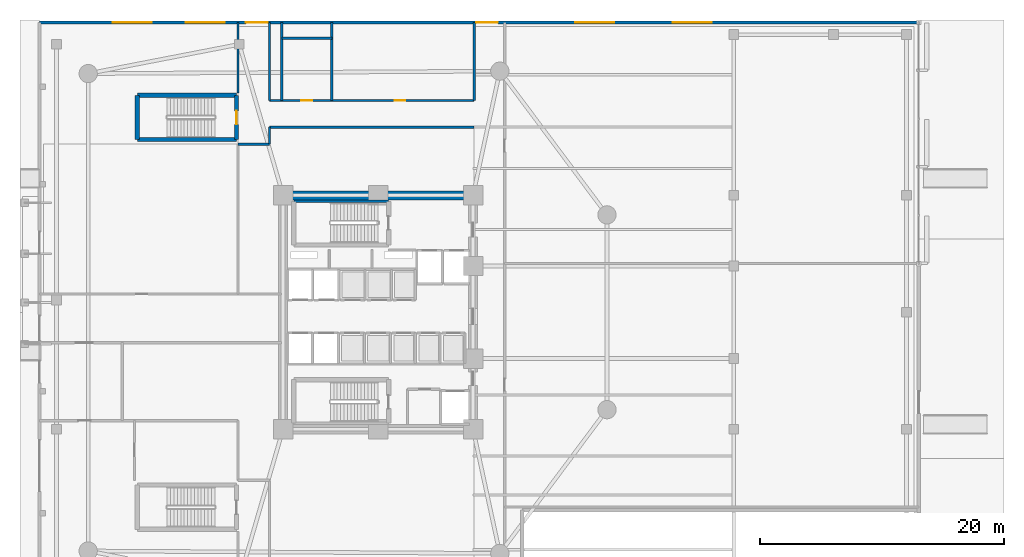
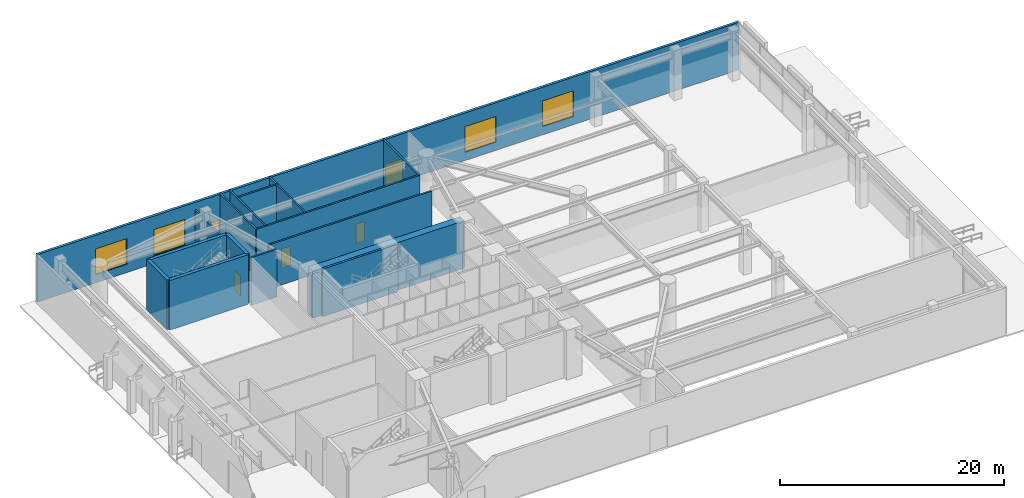
# One storey, part 9 of 16: 17 walls, 5 doors, 4 windows, 9 openings.
"""IFC4 building model written with IfcOpenShell, lengths in metres."""

import ifcopenshell
import ifcopenshell.guid

model = None  # the IFC model being written
_history = None  # IfcOwnerHistory: only IFC2X3 demands one
_inside = {}  # id of a spatial element -> (the spatial element, [elements in it])
_under = {}  # id of a project, library or spatial element -> (it, [spatial elements below it])
_declared = {}  # id of a project -> (the project, [libraries it declares])
_typed = {}  # id of a type object -> (the type object, [elements of that type])
_made_of = {}  # id of a material, layer set ... -> (it, [elements and type objects made of it])


def new_model(schema):
    """Start an empty IFC model of exactly this schema.

    Asked for "IFC4X3", IfcOpenShell would pick the latest addendum, in which some entities
    have other attributes; the version numbers below select the first issue.
    IFC2X3 requires an IfcOwnerHistory on every rooted entity: one is made here for all.
    """
    global model, _history
    if schema == "IFC4X3":
        model = ifcopenshell.file(schema_version=(4, 3, 0, 0))
    else:
        model = ifcopenshell.file(schema=schema)
    _inside.clear()
    _under.clear()
    _declared.clear()
    _typed.clear()
    _made_of.clear()
    _history = None
    if model.schema == "IFC2X3":
        org = make("IfcOrganization", Name="unknown")
        user = make(
            "IfcPersonAndOrganization",
            ThePerson=make("IfcPerson", FamilyName="unknown"),
            TheOrganization=org,
        )
        app = make(
            "IfcApplication",
            ApplicationDeveloper=org,
            Version="unknown",
            ApplicationFullName="unknown",
            ApplicationIdentifier="unknown",
        )
        _history = make(
            "IfcOwnerHistory",
            OwningUser=user,
            OwningApplication=app,
            ChangeAction="ADDED",
            CreationDate=0,
        )
    return model


def make(cls, **values):
    """One entity of the class cls with the attributes given. An attribute that is None is left unset."""
    return model.create_entity(
        cls, **{name: value for name, value in values.items() if value is not None}
    )


def rooted(cls, **values):
    """An entity with a GlobalId (a new one), such as an element, a storey or a relation."""
    return make(cls, GlobalId=ifcopenshell.guid.new(), OwnerHistory=_history, **values)


def si_unit(unit_type, name, prefix=None):
    """IfcSIUnit, for example si_unit("LENGTHUNIT", "METRE", prefix="MILLI")."""
    return make("IfcSIUnit", UnitType=unit_type, Prefix=prefix, Name=name)


def assignment(units):
    """IfcUnitAssignment: the units of a project."""
    return None if units is None else make("IfcUnitAssignment", Units=units)


def point(xyz):
    """IfcCartesianPoint."""
    return None if xyz is None else make("IfcCartesianPoint", Coordinates=xyz)


def direction(xyz):
    """IfcDirection."""
    return None if xyz is None else make("IfcDirection", DirectionRatios=xyz)


def frame(location, z_axis=None, x_axis=None):
    """IfcAxis2Placement3D, a coordinate frame: its origin and axes. An axis left out is left unset."""
    return make(
        "IfcAxis2Placement3D",
        Location=point(location),
        Axis=direction(z_axis),
        RefDirection=direction(x_axis),
    )


def frame_2d(location, x_axis=None):
    """IfcAxis2Placement2D, a coordinate frame in the plane: its origin and x axis."""
    return make(
        "IfcAxis2Placement2D", Location=point(location), RefDirection=direction(x_axis)
    )


def origin():
    """The frame at (0, 0, 0) with its axes left unset."""
    return frame((0.0, 0.0, 0.0))


def place(relative_to, where):
    """IfcLocalPlacement: puts the frame where relative to a parent placement (None: the world)."""
    return make(
        "IfcLocalPlacement", PlacementRelTo=relative_to, RelativePlacement=where
    )


def context(
    kind, dimensions, precision=None, world=None, true_north=None, identifier=None
):
    """IfcGeometricRepresentationContext, for example the 3D "Model" context."""
    return make(
        "IfcGeometricRepresentationContext",
        ContextIdentifier=identifier,
        ContextType=kind,
        CoordinateSpaceDimension=dimensions,
        Precision=precision,
        WorldCoordinateSystem=world,
        TrueNorth=true_north,
    )


def subcontext(parent, identifier, kind, view, scale=None):
    """IfcGeometricRepresentationSubContext, for example "Body" below "Model"."""
    return make(
        "IfcGeometricRepresentationSubContext",
        ContextIdentifier=identifier,
        ContextType=kind,
        ParentContext=parent,
        TargetScale=scale,
        TargetView=view,
    )


def project(units=None, contexts=None):
    """IfcProject with its units and contexts."""
    return rooted(
        "IfcProject",
        Name="project",
        RepresentationContexts=contexts,
        UnitsInContext=assignment(units),
    )


def spatial(cls, under=None, at=None, **own):
    """A site, building, storey or space (cls), placed at a placement, below another one or the project."""
    s = rooted(cls, ObjectPlacement=at, **own)
    if under is not None:
        _under.setdefault(under.id(), (under, []))[1].append(s)
    return s


def profile(cls, at=None, kind="AREA", **sizes):
    """A parametric profile (cls). Its sizes go by their IFC names, for example OverallWidth=200.0."""
    return make(cls, ProfileType=kind, Position=at, **sizes)


def rectangle(**sizes):
    """IfcRectangleProfileDef."""
    return profile("IfcRectangleProfileDef", **sizes)


def extrude(swept, where, along, depth):
    """IfcExtrudedAreaSolid: the profile swept, set in the frame where, extruded along a direction by depth."""
    return make(
        "IfcExtrudedAreaSolid",
        SweptArea=swept,
        Position=where,
        ExtrudedDirection=direction(along),
        Depth=depth,
    )


def shape(context_of_items, identifier, shape_type, items):
    """IfcShapeRepresentation: the items that make up one representation, for example the "Body"."""
    return make(
        "IfcShapeRepresentation",
        ContextOfItems=context_of_items,
        RepresentationIdentifier=identifier,
        RepresentationType=shape_type,
        Items=items,
    )


def material(Name=None, Category=None):
    """IfcMaterial."""
    return make("IfcMaterial", Name=Name, Category=Category)


def layer(
    of_material, thickness, ventilated=None, Name=None, Category=None, Priority=None
):
    """IfcMaterialLayer: one layer of a wall or slab, of a material (None: an air gap)."""
    return make(
        "IfcMaterialLayer",
        Material=of_material,
        LayerThickness=thickness,
        IsVentilated=ventilated,
        Name=Name,
        Category=Category,
        Priority=Priority,
    )


def layer_set(layers, Name=None):
    """IfcMaterialLayerSet."""
    return make("IfcMaterialLayerSet", MaterialLayers=layers, LayerSetName=Name)


def made_of(thing, what):
    """Note that an element or type object is made of a material, layer set ...; save() writes the relation."""
    if what is not None:
        _made_of.setdefault(what.id(), (what, []))[1].append(thing)
    return thing


def type_object(cls, material=None, **own):
    """A type object (cls), such as IfcWallType, which elements share."""
    return made_of(rooted(cls, **own), material)


def element(
    cls,
    number,
    at=None,
    inside=None,
    cuts=None,
    type_object=None,
    material=None,
    context=None,
    identifier="Body",
    shape_type=None,
    held_by="IfcProductDefinitionShape",
    body=None,
    shapes=None,
    **own,
):
    """One element of the class cls, such as IfcWall. Its Tag is "e" and its number.

    at: its placement. inside: the storey or other place that contains it. cuts: it is an
    opening in that element (IfcRelVoidsElement). A single representation is given by context,
    identifier, shape_type and body (its items); several are given by shapes. held_by: the class
    of the entity that holds the representations. save() writes the other relations.
    """
    e = rooted(cls, Tag="e%d" % number, ObjectPlacement=at, **own)
    if body is not None:
        shapes = [shape(context, identifier, shape_type, body)]
    if shapes is not None:
        e.Representation = make(held_by, Representations=shapes)
    if inside is not None:
        _inside.setdefault(inside.id(), (inside, []))[1].append(e)
    if cuts is not None:
        rooted(
            "IfcRelVoidsElement", RelatingBuildingElement=cuts, RelatedOpeningElement=e
        )
    if type_object is not None:
        _typed.setdefault(type_object.id(), (type_object, []))[1].append(e)
    return made_of(e, material)


def fill(opening, filler):
    """IfcRelFillsElement: the door or window that sits in an opening."""
    return rooted(
        "IfcRelFillsElement",
        RelatingOpeningElement=opening,
        RelatedBuildingElement=filler,
    )


def aggregate(whole, parts):
    """IfcRelAggregates: a whole, such as a stair, and the parts it consists of."""
    return rooted("IfcRelAggregates", RelatingObject=whole, RelatedObjects=parts)


def save(model, path):
    """Write the relations noted so far, then the file.

    IfcRelAggregates (storeys below a building ...), IfcRelContainedInSpatialStructure (elements
    in a storey), IfcRelDefinesByType, IfcRelAssociatesMaterial and IfcRelDeclares: one each for
    every whole, place, type object, material and project.
    """
    for whole, parts in _under.values():
        aggregate(whole, parts)
    for where, things in _inside.values():
        rooted(
            "IfcRelContainedInSpatialStructure",
            RelatedElements=things,
            RelatingStructure=where,
        )
    for kind, things in _typed.values():
        rooted("IfcRelDefinesByType", RelatedObjects=things, RelatingType=kind)
    for what, things in _made_of.values():
        rooted("IfcRelAssociatesMaterial", RelatedObjects=things, RelatingMaterial=what)
    for by, libraries in _declared.values():
        rooted("IfcRelDeclares", RelatingContext=by, RelatedDefinitions=libraries)
    model.write(path)


model = new_model("IFC4")

# Units and contexts
model_context = context("Model", 3, precision=1e-05, world=origin(), true_north=direction((0.0, 1.0)))
body_context = subcontext(model_context, "Body", "Model", "MODEL_VIEW")
ifc_project = project(units=[si_unit("LENGTHUNIT", "METRE"), si_unit("AREAUNIT", "SQUARE_METRE"), si_unit("VOLUMEUNIT", "CUBIC_METRE"), si_unit("PLANEANGLEUNIT", "RADIAN"), si_unit("MASSUNIT", "GRAM", prefix="KILO")], contexts=[model_context])

# Site, building, storey
site_placement = place(None, origin())
site = spatial("IfcSite", under=ifc_project, at=site_placement, CompositionType="ELEMENT")
building_placement = place(site_placement, origin())
building = spatial("IfcBuilding", under=site, at=building_placement, Name="An Khanh Terracotta Commons", CompositionType="ELEMENT")
storey_placement = place(building_placement, origin())
storey = spatial("IfcBuildingStorey", under=building, at=storey_placement, Name="L01", CompositionType="ELEMENT", Elevation=0.0)

# Walls
ifc_material_1 = material(Name="Concrete C70/85", Category="concrete")
ifc_layer_1 = layer(ifc_material_1, 0.75, Name="Concrete C70/85")
ifc_layer_set_1 = layer_set([ifc_layer_1], Name="Concrete C70/85")
wall_type_1 = type_object("IfcWallType", Name="WALL-CORE-750", PredefinedType="SHEAR", material=ifc_layer_set_1)
wall_1_placement = place(storey_placement, frame((21.60009765625, 33.60009765625, 0.0), z_axis=(0.0, 0.0, 1.0), x_axis=(1.0, 0.0, 0.0)))
element("IfcWall", 1, at=wall_1_placement, inside=storey, type_object=wall_type_1, Name="L01 Core Wall CWALL-L01-N", PredefinedType="SHEAR", context=body_context, shape_type="SweptSolid", body=[
    extrude(rectangle(XDim=15.599853515625, YDim=0.75, at=frame_2d((7.7998046875, 0.0))), origin(), (0.0, 0.0, 1.0), 5.179931640625),
])
ifc_material_2 = material(Name="Double-Layer Fire-Rated Gypsum Board on Mineral Fibre Core")
ifc_layer_2 = layer(ifc_material_2, 0.179931640625, Name="Double-Layer Fire-Rated Gypsum Board on Mineral Fibre Core")
ifc_layer_set_2 = layer_set([ifc_layer_2], Name="Double-Layer Fire-Rated Gypsum Board on Mineral Fibre Core")
wall_type_2 = type_object("IfcWallType", Name="WALL-EXITPASS-180", PredefinedType="PARTITIONING", material=ifc_layer_set_2)
wall_2_placement = place(storey_placement, frame((17.89990234375, 37.800048828125, 0.0), z_axis=(0.0, 0.0, 1.0), x_axis=(1.0, 0.0, 0.0)))
element("IfcWall", 2, at=wall_2_placement, inside=storey, type_object=wall_type_2, Name="L01 Interior Partition IW-L01-E007", PredefinedType="PARTITIONING", context=body_context, shape_type="SweptSolid", body=[
    extrude(rectangle(XDim=2.60009765625, YDim=0.179931640625, at=frame_2d((1.300048828125, 0.0))), origin(), (0.0, 0.0, 1.0), 5.179931640625),
])
wall_3_placement = place(storey_placement, frame((20.5, 39.199951171875, 0.0), z_axis=(0.0, 0.0, 1.0), x_axis=(1.0, 0.0, 0.0)))
element("IfcWall", 3, at=wall_3_placement, inside=storey, type_object=wall_type_2, Name="L01 Interior Partition IW-L01-E008", PredefinedType="PARTITIONING", context=body_context, shape_type="SweptSolid", body=[
    extrude(rectangle(XDim=16.800048828125, YDim=0.179931640625, at=frame_2d((8.39990234375, 0.0))), origin(), (0.0, 0.0, 1.0), 4.802001953125),
])

# Wall, openings, doors
wall_4_placement = place(storey_placement, frame((20.5, 41.39990234375, 0.0), z_axis=(0.0, 0.0, 1.0), x_axis=(1.0, 0.0, 0.0)))
wall_4 = element("IfcWall", 4, at=wall_4_placement, inside=storey, type_object=wall_type_2, Name="L01 Interior Partition IW-L01-E009", PredefinedType="PARTITIONING", context=body_context, shape_type="SweptSolid", body=[
    extrude(rectangle(XDim=16.800048828125, YDim=0.179931640625, at=frame_2d((8.39990234375, 0.0))), origin(), (0.0, 0.0, 1.0), 5.179931640625),
])
opening_1_placement = place(wall_4_placement, frame((2.60009765625, 0.0, 0.0)))
opening_1 = element("IfcOpeningElement", 5, at=opening_1_placement, cuts=wall_4, Name="Opening D-WC", PredefinedType="OPENING", context=body_context, shape_type="SweptSolid", body=[
    extrude(rectangle(XDim=0.89990234375, YDim=2.10009765625, at=frame_2d((0.449951171875, 1.050048828125))), frame((0.0, 0.099853515625, 0.0), z_axis=(0.0, -1.0, 0.0), x_axis=(1.0, 0.0, 0.0)), (0.0, 0.0, 1.0), 0.199951171875),
])
opening_2_placement = place(wall_4_placement, frame((10.260009765625, 0.0, 0.0)))
opening_2 = element("IfcOpeningElement", 6, at=opening_2_placement, cuts=wall_4, Name="Opening D-ENS", PredefinedType="OPENING", context=body_context, shape_type="SweptSolid", body=[
    extrude(rectangle(XDim=0.860107421875, YDim=2.10009765625, at=frame_2d((0.43017578125, 1.050048828125))), frame((0.0, 0.099853515625, 0.0), z_axis=(0.0, -1.0, 0.0), x_axis=(1.0, 0.0, 0.0)), (0.0, 0.0, 1.0), 0.199951171875),
])
ifc_material_3 = material(Name="Moisture-Resistant Hardwood Timber Leaf", Category="wood")
door_type_1 = type_object("IfcDoorType", Name="DOOR-BATH-860", OperationType="NOTDEFINED", PredefinedType="DOOR", material=ifc_material_3)
door_1_placement = place(opening_2_placement, origin())
door_1 = element("IfcDoor", 7, at=door_1_placement, inside=storey, type_object=door_type_1, Name="L01 PWC Public Restroom Block Door", OperationType="SINGLE_SWING_RIGHT", OverallHeight=2.10009765625, OverallWidth=0.860107421875, PredefinedType="DOOR", context=body_context, shape_type="SweptSolid", body=[
    extrude(rectangle(XDim=0.860107421875, YDim=2.10009765625, at=frame_2d((0.43017578125, 1.050048828125))), frame((0.0, 0.02490234375, 0.0), z_axis=(0.0, -1.0, 0.0), x_axis=(1.0, 0.0, 0.0)), (0.0, 0.0, 1.0), 0.050048828125),
])
fill(opening_2, door_1)
ifc_material_4 = material(Name="Laminate Moisture-Resistant Timber Leaf", Category="wood")
door_type_2 = type_object("IfcDoorType", Name="DOOR-WC-900", OperationType="NOTDEFINED", PredefinedType="DOOR", material=ifc_material_4)
door_2_placement = place(opening_1_placement, origin())
door_2 = element("IfcDoor", 8, at=door_2_placement, inside=storey, type_object=door_type_2, Name="L01 AWC Ground Public Accessible WC Door", OperationType="SINGLE_SWING_LEFT", OverallHeight=2.10009765625, OverallWidth=0.89990234375, PredefinedType="DOOR", context=body_context, shape_type="SweptSolid", body=[
    extrude(rectangle(XDim=0.89990234375, YDim=2.10009765625, at=frame_2d((0.449951171875, 1.050048828125))), frame((0.0, 0.02490234375, 0.0), z_axis=(0.0, -1.0, 0.0), x_axis=(1.0, 0.0, 0.0)), (0.0, 0.0, 1.0), 0.050048828125),
])
fill(opening_1, door_2)

# Walls
wall_5_placement = place(storey_placement, frame((21.5, 46.5, 0.0), z_axis=(0.0, 0.0, 1.0), x_axis=(1.0, 0.0, 0.0)))
element("IfcWall", 9, at=wall_5_placement, inside=storey, type_object=wall_type_2, Name="L01 Interior Partition IW-L01-E010", PredefinedType="PARTITIONING", context=body_context, shape_type="SweptSolid", body=[
    extrude(rectangle(XDim=4.10009765625, YDim=0.179931640625, at=frame_2d((2.050048828125, 0.0))), origin(), (0.0, 0.0, 1.0), 5.179931640625),
])
wall_6_placement = place(storey_placement, frame((17.89990234375, 42.0, 0.0), z_axis=(0.0, 0.0, 1.0), x_axis=(0.0, 1.0, 0.0)))
element("IfcWall", 10, at=wall_6_placement, inside=storey, type_object=wall_type_2, Name="L01 Interior Partition IW-L01-E016", PredefinedType="PARTITIONING", context=body_context, shape_type="SweptSolid", body=[
    extrude(rectangle(XDim=5.800048828125, YDim=0.179931640625, at=frame_2d((2.89990234375, 0.0))), origin(), (0.0, 0.0, 1.0), 4.362060546875),
])
wall_7_placement = place(storey_placement, frame((20.5, 37.800048828125, 0.0), z_axis=(0.0, 0.0, 1.0), x_axis=(0.0, 1.0, 0.0)))
element("IfcWall", 11, at=wall_7_placement, inside=storey, type_object=wall_type_2, Name="L01 Interior Partition IW-L01-E018", PredefinedType="PARTITIONING", context=body_context, shape_type="SweptSolid", body=[
    extrude(rectangle(XDim=1.39990234375, YDim=0.179931640625, at=frame_2d((0.699951171875, 0.0))), origin(), (0.0, 0.0, 1.0), 4.362060546875),
])
for number, where, z_axis, x_axis, name in (
    (12, (20.5, 41.39990234375, 0.0), (0.0, 0.0, 1.0), (0.0, 1.0, 0.0), "L01 Interior Partition IW-L01-E019"),
    (13, (21.5, 41.39990234375, 0.0), (0.0, 0.0, 1.0), (0.0, 1.0, 0.0), "L01 Interior Partition IW-L01-E020"),
    (14, (25.60009765625, 41.39990234375, 0.0), (0.0, 0.0, 1.0), (0.0, 1.0, 0.0), "L01 Interior Partition IW-L01-E021"),
    (15, (37.300048828125, 41.39990234375, 0.0), (0.0, 0.0, 1.0), (0.0, 1.0, 0.0), "L01 Interior Partition IW-L01-E022"),
):
    element("IfcWall", number, at=place(storey_placement, frame(where, z_axis=z_axis, x_axis=x_axis)), inside=storey, type_object=wall_type_2, Name=name, PredefinedType="PARTITIONING", context=body_context, shape_type="SweptSolid", body=[
        extrude(rectangle(XDim=6.400146484375, YDim=0.179931640625, at=frame_2d((3.2001953125, 0.0))), origin(), (0.0, 0.0, 1.0), 5.179931640625),
    ])
ifc_material_5 = material(Name="Acoustic Double-Stud Gypsum and Mineral Wool")
ifc_layer_3 = layer(ifc_material_5, 0.219970703125, Name="Acoustic Double-Stud Gypsum and Mineral Wool")
ifc_layer_set_3 = layer_set([ifc_layer_3], Name="Acoustic Double-Stud Gypsum and Mineral Wool")
wall_type_3 = type_object("IfcWallType", Name="WALL-PARTY-220", PredefinedType="PARTITIONING", material=ifc_layer_set_3)
wall_8_placement = place(storey_placement, frame((22.47998046875, 33.110107421875, 0.0), z_axis=(0.0, 0.0, 1.0), x_axis=(1.0, 0.0, 0.0)))
element("IfcWall", 16, at=wall_8_placement, inside=storey, type_object=wall_type_3, Name="L01 Core Wall STW-L01-N-N", PredefinedType="PARTITIONING", context=body_context, shape_type="SweptSolid", body=[
    extrude(rectangle(XDim=7.7900390625, YDim=0.219970703125, at=frame_2d((3.89501953125, 0.0))), origin(), (0.0, 0.0, 1.0), 5.179931640625),
])

# Wall, openings, doors, windows
ifc_material_6 = material(Name="Concrete C40/50", Category="concrete")
ifc_layer_4 = layer(ifc_material_6, 0.260009765625, Name="Concrete C40/50")
ifc_layer_set_4 = layer_set([ifc_layer_4], Name="Concrete C40/50")
wall_type_4 = type_object("IfcWallType", Name="WALL-POD-260", PredefinedType="SOLIDWALL", material=ifc_layer_set_4)
wall_9_placement = place(storey_placement, frame((1.60009765625, 47.800048828125, 0.0), z_axis=(0.0, 0.0, 1.0), x_axis=(1.0, 0.0, 0.0)))
wall_9 = element("IfcWall", 17, at=wall_9_placement, inside=storey, type_object=wall_type_4, Name="L01 North Exterior Wall", PredefinedType="SOLIDWALL", context=body_context, shape_type="SweptSolid", body=[
    extrude(rectangle(XDim=72.199951171875, YDim=0.260009765625, at=frame_2d((36.10009765625, 0.0))), origin(), (0.0, 0.0, 1.0), 5.179931640625),
])
opening_3_placement = place(wall_9_placement, frame((16.949951171875, 0.0, 0.0)))
opening_3 = element("IfcOpeningElement", 18, at=opening_3_placement, cuts=wall_9, Name="Opening EX-03", PredefinedType="OPENING", context=body_context, shape_type="SweptSolid", body=[
    extrude(rectangle(XDim=1.800048828125, YDim=2.39990234375, at=frame_2d((0.89990234375, 1.199951171875))), frame((0.0, 0.139892578125, 0.0), z_axis=(0.0, -1.0, 0.0), x_axis=(1.0, 0.0, 0.0)), (0.0, 0.0, 1.0), 0.280029296875),
])
opening_4_placement = place(wall_9_placement, frame((35.85009765625, 0.0, 0.0)))
opening_4 = element("IfcOpeningElement", 19, at=opening_4_placement, cuts=wall_9, Name="Opening EX-04", PredefinedType="OPENING", context=body_context, shape_type="SweptSolid", body=[
    extrude(rectangle(XDim=1.800048828125, YDim=2.39990234375, at=frame_2d((0.89990234375, 1.199951171875))), frame((0.0, 0.139892578125, 0.0), z_axis=(0.0, -1.0, 0.0), x_axis=(1.0, 0.0, 0.0)), (0.0, 0.0, 1.0), 0.280029296875),
])
opening_5_placement = place(wall_9_placement, frame((6.0, 0.0, 0.89990234375)))
opening_5 = element("IfcOpeningElement", 20, at=opening_5_placement, cuts=wall_9, Name="Opening W-10", PredefinedType="OPENING", context=body_context, shape_type="SweptSolid", body=[
    extrude(rectangle(XDim=3.199951171875, YDim=2.800048828125, at=frame_2d((1.60009765625, 1.39990234375))), frame((0.0, 0.139892578125, 0.0), z_axis=(0.0, -1.0, 0.0), x_axis=(1.0, 0.0, 0.0)), (0.0, 0.0, 1.0), 0.280029296875),
])
opening_6_placement = place(wall_9_placement, frame((12.0, 0.0, 0.89990234375)))
opening_6 = element("IfcOpeningElement", 21, at=opening_6_placement, cuts=wall_9, Name="Opening W-10", PredefinedType="OPENING", context=body_context, shape_type="SweptSolid", body=[
    extrude(rectangle(XDim=3.199951171875, YDim=2.800048828125, at=frame_2d((1.60009765625, 1.39990234375))), frame((0.0, 0.139892578125, 0.0), z_axis=(0.0, -1.0, 0.0), x_axis=(1.0, 0.0, 0.0)), (0.0, 0.0, 1.0), 0.280029296875),
])
opening_7_placement = place(wall_9_placement, frame((44.0, 0.0, 0.89990234375)))
opening_7 = element("IfcOpeningElement", 22, at=opening_7_placement, cuts=wall_9, Name="Opening W-10", PredefinedType="OPENING", context=body_context, shape_type="SweptSolid", body=[
    extrude(rectangle(XDim=3.199951171875, YDim=2.800048828125, at=frame_2d((1.60009765625, 1.39990234375))), frame((0.0, 0.139892578125, 0.0), z_axis=(0.0, -1.0, 0.0), x_axis=(1.0, 0.0, 0.0)), (0.0, 0.0, 1.0), 0.280029296875),
])
opening_8_placement = place(wall_9_placement, frame((52.0, 0.0, 0.89990234375)))
opening_8 = element("IfcOpeningElement", 23, at=opening_8_placement, cuts=wall_9, Name="Opening W-10", PredefinedType="OPENING", context=body_context, shape_type="SweptSolid", body=[
    extrude(rectangle(XDim=3.199951171875, YDim=2.800048828125, at=frame_2d((1.60009765625, 1.39990234375))), frame((0.0, 0.139892578125, 0.0), z_axis=(0.0, -1.0, 0.0), x_axis=(1.0, 0.0, 0.0)), (0.0, 0.0, 1.0), 0.280029296875),
])
ifc_material_7 = material(Name="Anodised Aluminium and Toughened Glass", Category="aluminium")
door_type_3 = type_object("IfcDoorType", Name="DOOR-EXT-EXIT-1800", OperationType="NOTDEFINED", PredefinedType="DOOR", material=ifc_material_7)
door_3_placement = place(opening_3_placement, origin())
door_3 = element("IfcDoor", 24, at=door_3_placement, inside=storey, type_object=door_type_3, Name="L01 North-West Stair Protected Exit Door EX-03", OperationType="DOUBLE_DOOR_SINGLE_SWING", OverallHeight=2.39990234375, OverallWidth=1.800048828125, PredefinedType="DOOR", context=body_context, shape_type="SweptSolid", body=[
    extrude(rectangle(XDim=1.800048828125, YDim=2.39990234375, at=frame_2d((0.89990234375, 1.199951171875))), frame((0.0, 0.02490234375, 0.0), z_axis=(0.0, -1.0, 0.0), x_axis=(1.0, 0.0, 0.0)), (0.0, 0.0, 1.0), 0.050048828125),
])
fill(opening_3, door_3)
door_4_placement = place(opening_4_placement, origin())
door_4 = element("IfcDoor", 25, at=door_4_placement, inside=storey, type_object=door_type_3, Name="L01 North Core Protected Exit Door EX-04", OperationType="DOUBLE_DOOR_SINGLE_SWING", OverallHeight=2.39990234375, OverallWidth=1.800048828125, PredefinedType="DOOR", context=body_context, shape_type="SweptSolid", body=[
    extrude(rectangle(XDim=1.800048828125, YDim=2.39990234375, at=frame_2d((0.89990234375, 1.199951171875))), frame((0.0, 0.02490234375, 0.0), z_axis=(0.0, -1.0, 0.0), x_axis=(1.0, 0.0, 0.0)), (0.0, 0.0, 1.0), 0.050048828125),
])
fill(opening_4, door_4)
ifc_material_8 = material(Name="Thermally Broken Aluminium and Low-E Glass", Category="aluminium")
window_type = type_object("IfcWindowType", Name="WIN-L01-3200x2800", PartitioningType="TRIPLE_PANEL_VERTICAL", PredefinedType="WINDOW", material=ifc_material_8)
window_1_placement = place(opening_5_placement, origin())
window_1 = element("IfcWindow", 26, at=window_1_placement, inside=storey, type_object=window_type, Name="L01 North Commons Shopfront Window 1", OverallHeight=2.800048828125, OverallWidth=3.199951171875, PartitioningType="TRIPLE_PANEL_VERTICAL", PredefinedType="WINDOW", context=body_context, shape_type="SweptSolid", body=[
    extrude(rectangle(XDim=3.199951171875, YDim=2.800048828125, at=frame_2d((1.60009765625, 1.39990234375))), frame((0.0, 0.030029296875, 0.0), z_axis=(0.0, -1.0, 0.0), x_axis=(1.0, 0.0, 0.0)), (0.0, 0.0, 1.0), 0.06005859375),
])
fill(opening_5, window_1)
window_2_placement = place(opening_6_placement, origin())
window_2 = element("IfcWindow", 27, at=window_2_placement, inside=storey, type_object=window_type, Name="L01 North Commons Shopfront Window 2", OverallHeight=2.800048828125, OverallWidth=3.199951171875, PartitioningType="TRIPLE_PANEL_VERTICAL", PredefinedType="WINDOW", context=body_context, shape_type="SweptSolid", body=[
    extrude(rectangle(XDim=3.199951171875, YDim=2.800048828125, at=frame_2d((1.60009765625, 1.39990234375))), frame((0.0, 0.030029296875, 0.0), z_axis=(0.0, -1.0, 0.0), x_axis=(1.0, 0.0, 0.0)), (0.0, 0.0, 1.0), 0.06005859375),
])
fill(opening_6, window_2)
window_3_placement = place(opening_7_placement, origin())
window_3 = element("IfcWindow", 28, at=window_3_placement, inside=storey, type_object=window_type, Name="L01 North Commons Shopfront Window 3", OverallHeight=2.800048828125, OverallWidth=3.199951171875, PartitioningType="TRIPLE_PANEL_VERTICAL", PredefinedType="WINDOW", context=body_context, shape_type="SweptSolid", body=[
    extrude(rectangle(XDim=3.199951171875, YDim=2.800048828125, at=frame_2d((1.60009765625, 1.39990234375))), frame((0.0, 0.030029296875, 0.0), z_axis=(0.0, -1.0, 0.0), x_axis=(1.0, 0.0, 0.0)), (0.0, 0.0, 1.0), 0.06005859375),
])
fill(opening_7, window_3)
window_4_placement = place(opening_8_placement, origin())
window_4 = element("IfcWindow", 29, at=window_4_placement, inside=storey, type_object=window_type, Name="L01 North Commons Shopfront Window 4", OverallHeight=2.800048828125, OverallWidth=3.199951171875, PartitioningType="TRIPLE_PANEL_VERTICAL", PredefinedType="WINDOW", context=body_context, shape_type="SweptSolid", body=[
    extrude(rectangle(XDim=3.199951171875, YDim=2.800048828125, at=frame_2d((1.60009765625, 1.39990234375))), frame((0.0, 0.030029296875, 0.0), z_axis=(0.0, -1.0, 0.0), x_axis=(1.0, 0.0, 0.0)), (0.0, 0.0, 1.0), 0.06005859375),
])
fill(opening_8, window_4)

# Walls
ifc_material_9 = material(Name="Concrete C50/60", Category="concrete")
ifc_layer_5 = layer(ifc_material_9, 0.35009765625, Name="Concrete C50/60")
ifc_layer_set_5 = layer_set([ifc_layer_5], Name="Concrete C50/60")
wall_type_5 = type_object("IfcWallType", Name="WALL-SHAFT-350", PredefinedType="SOLIDWALL", material=ifc_layer_set_5)
wall_10_placement = place(storey_placement, frame((9.6298828125, 38.179931640625, 0.0), z_axis=(0.0, 0.0, 1.0), x_axis=(0.0, 1.0, 0.0)))
element("IfcWall", 30, at=wall_10_placement, inside=storey, type_object=wall_type_5, Name="L01 Podium Stair ST-P2 W Wall", PredefinedType="SOLIDWALL", context=body_context, shape_type="SweptSolid", body=[
    extrude(rectangle(XDim=3.64013671875, YDim=0.35009765625, at=frame_2d((1.820068359375, 0.0))), origin(), (0.0, 0.0, 1.0), 5.39990234375),
])
for number, where, z_axis, x_axis, name in (
    (31, (9.6298828125, 41.820068359375, 0.0), (0.0, 0.0, 1.0), (1.0, 0.0, 0.0), "L01 Podium Stair ST-P2 N Wall"),
    (32, (17.77001953125, 38.179931640625, 0.0), (0.0, 0.0, 1.0), (-1.0, 0.0, 0.0), "L01 Podium Stair ST-P2 S Wall"),
):
    element("IfcWall", number, at=place(storey_placement, frame(where, z_axis=z_axis, x_axis=x_axis)), inside=storey, type_object=wall_type_5, Name=name, PredefinedType="SOLIDWALL", context=body_context, shape_type="SweptSolid", body=[
        extrude(rectangle(XDim=8.14013671875, YDim=0.35009765625, at=frame_2d((4.070068359375, 0.0))), origin(), (0.0, 0.0, 1.0), 5.39990234375),
    ])

# Wall, opening, door
wall_11_placement = place(storey_placement, frame((17.77001953125, 38.179931640625, 0.0), z_axis=(0.0, 0.0, 1.0), x_axis=(0.0, 1.0, 0.0)))
wall_11 = element("IfcWall", 33, at=wall_11_placement, inside=storey, type_object=wall_type_5, Name="L01 Podium Stair ST-P2 E Wall", PredefinedType="SOLIDWALL", context=body_context, shape_type="SweptSolid", body=[
    extrude(rectangle(XDim=3.64013671875, YDim=0.35009765625, at=frame_2d((1.820068359375, 0.0))), origin(), (0.0, 0.0, 1.0), 5.39990234375),
])
opening_9_placement = place(wall_11_placement, frame((1.25, 0.0, 0.0)))
opening_9 = element("IfcOpeningElement", 34, at=opening_9_placement, cuts=wall_11, Name="Opening D-ST", PredefinedType="OPENING", context=body_context, shape_type="SweptSolid", body=[
    extrude(rectangle(XDim=1.10009765625, YDim=2.14990234375, at=frame_2d((0.550048828125, 1.074951171875))), frame((0.0, 0.18505859375, 0.0), z_axis=(0.0, -1.0, 0.0), x_axis=(1.0, 0.0, 0.0)), (0.0, 0.0, 1.0), 0.3701171875),
])
ifc_material_10 = material(Name="Fire-Rated Steel Leaf and Frame", Category="steel")
door_type_4 = type_object("IfcDoorType", Name="DOOR-STAIR-1100", OperationType="NOTDEFINED", PredefinedType="DOOR", material=ifc_material_10)
door_5_placement = place(opening_9_placement, origin())
door_5 = element("IfcDoor", 35, at=door_5_placement, inside=storey, type_object=door_type_4, Name="L01 Podium Stair ST-P2 Fire Door", OperationType="SINGLE_SWING_RIGHT", OverallHeight=2.14990234375, OverallWidth=1.10009765625, PredefinedType="DOOR", context=body_context, shape_type="SweptSolid", body=[
    extrude(rectangle(XDim=1.10009765625, YDim=2.14990234375, at=frame_2d((0.550048828125, 1.074951171875))), frame((0.0, 0.02490234375, 0.0), z_axis=(0.0, -1.0, 0.0), x_axis=(1.0, 0.0, 0.0)), (0.0, 0.0, 1.0), 0.050048828125),
])
fill(opening_9, door_5)

save(model, "model.ifc")
